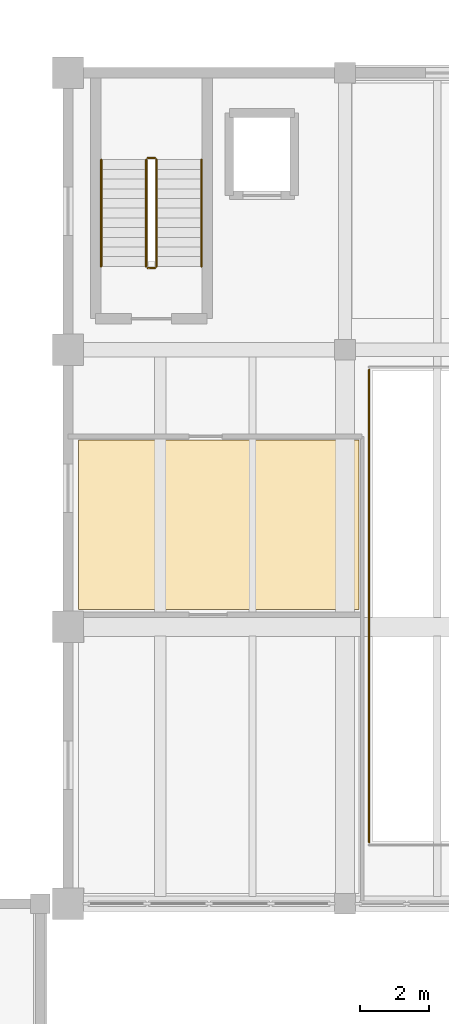
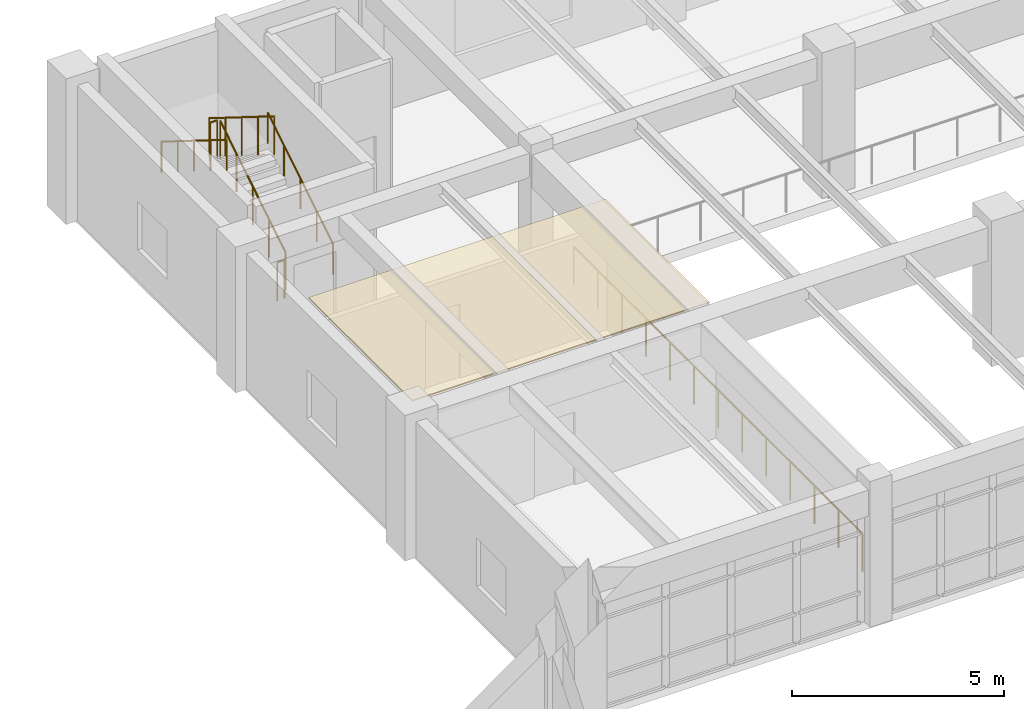
# One storey, part 57 of 67: 7 railings, 1 covering.
"""IFC4 building model written with IfcOpenShell, lengths in metres."""

from ifc_helpers import new_model, si_unit, direction, frame, origin, origin_2d, place, context, subcontext, project, spatial, polyline, circle, outline, extrude, material, layer, layer_set, type_object, element, save


model = new_model("IFC4")

# Units and contexts
model_context = context("Model", 3, precision=1e-05, world=origin(), true_north=direction((0.0, 1.0)))
body_context = subcontext(model_context, "Body", "Model", "MODEL_VIEW")
ifc_project = project(units=[si_unit("LENGTHUNIT", "METRE"), si_unit("AREAUNIT", "SQUARE_METRE"), si_unit("VOLUMEUNIT", "CUBIC_METRE"), si_unit("PLANEANGLEUNIT", "RADIAN"), si_unit("MASSUNIT", "GRAM", prefix="KILO")], contexts=[model_context])

# Site, building, storey
site_placement = place(None, origin())
site = spatial("IfcSite", under=ifc_project, at=site_placement, CompositionType="ELEMENT")
building_placement = place(site_placement, origin())
building = spatial("IfcBuilding", under=site, at=building_placement, Name="Tlaxcora Railside Police Headquarters", CompositionType="ELEMENT")
storey_placement = place(building_placement, frame((0.0, 0.0, 4.800048828125)))
storey = spatial("IfcBuildingStorey", under=building, at=storey_placement, Name="L01", CompositionType="ELEMENT", Elevation=4.800048828125)

# Covering
ifc_material_1 = material(Name="Mineral-fibre acoustic ceiling tile")
ifc_layer = layer(ifc_material_1, 0.034912109375, Name="Mineral-fibre acoustic ceiling tile")
ifc_layer_set = layer_set([ifc_layer], Name="Mineral-fibre acoustic ceiling tile")
covering_type = type_object("IfcCoveringType", Name="Acoustic Suspended Ceiling CLG-01", PredefinedType="CEILING", material=ifc_layer_set)
covering_placement = place(storey_placement, frame((0.0, 0.0, 3.764892578125)))
element("IfcCovering", 1, at=covering_placement, inside=storey, type_object=covering_type, Name="Accessible WC and Gallery Restroom L01 suspended ceiling", PredefinedType="CEILING", context=body_context, shape_type="SweptSolid", body=[
    extrude(outline(polyline([(54.39990234375, 44.5), (54.39990234375, 49.39990234375), (46.300048828125, 49.39990234375), (46.300048828125, 44.5), (54.39990234375, 44.5)])), origin(), (0.0, 0.0, 1.0), 0.03515625),
])

# Railings
ifc_material_2 = material(Name="Steel ASTM A992 Grade 50", Category="steel")
railing_type_1 = type_object("IfcRailingType", Name="Stair Well Guard Balustrade GR-02", PredefinedType="BALUSTRADE", material=ifc_material_2)
railing_1_placement = place(storey_placement, frame((48.56005859375, 54.409912109375, 0.175048828125)))
element("IfcRailing", 2, at=railing_1_placement, inside=storey, type_object=railing_type_1, Name="L01 ST4 stair guard 1", PredefinedType="BALUSTRADE", context=body_context, shape_type="SweptSolid", body=[
    extrude(circle(Radius=0.02392578125, at=origin_2d()), frame((0.0, 0.0, 1.09619140625), z_axis=(0.0, 0.848028513186, 0.529950602248), x_axis=(-1.0, 0.0, 0.0)), (0.0, 0.0, 1.0), 3.632080078125),
    extrude(circle(Radius=0.02099609375, at=origin_2d()), origin(), (0.0, 0.0, 1.0), 1.072021484375),
    extrude(circle(Radius=0.02099609375, at=origin_2d()), frame((0.0, 0.77001953125, 0.481201171875)), (0.0, 0.0, 1.0), 1.072021484375),
    extrude(circle(Radius=0.02099609375, at=origin_2d()), frame((0.0, 1.5400390625, 0.96240234375)), (0.0, 0.0, 1.0), 1.072021484375),
    extrude(circle(Radius=0.02099609375, at=origin_2d()), frame((0.0, 2.31005859375, 1.443603515625)), (0.0, 0.0, 1.0), 1.072021484375),
    extrude(circle(Radius=0.02099609375, at=origin_2d()), frame((0.0, 3.080078125, 1.9248046875)), (0.0, 0.0, 1.0), 1.072021484375),
])
railing_2_placement = place(storey_placement, frame((48.510009765625, 57.5400390625, 2.099853515625)))
element("IfcRailing", 3, at=railing_2_placement, inside=storey, type_object=railing_type_1, Name="L01 ST4 stair guard 2", PredefinedType="BALUSTRADE", context=body_context, shape_type="SweptSolid", body=[
    extrude(circle(Radius=0.02392578125, at=origin_2d()), frame((0.0, 0.0, 1.09619140625), z_axis=(-1.0, 0.0, 0.0), x_axis=(0.0, -1.0, 0.0)), (0.0, 0.0, 1.0), 0.199951171875),
    extrude(circle(Radius=0.02099609375, at=origin_2d()), origin(), (0.0, 0.0, 1.0), 1.072021484375),
    extrude(circle(Radius=0.02099609375, at=origin_2d()), frame((-0.199951171875, 0.0, 0.0)), (0.0, 0.0, 1.0), 1.072021484375),
])
railing_3_placement = place(storey_placement, frame((48.260009765625, 57.489990234375, 2.27490234375)))
element("IfcRailing", 4, at=railing_3_placement, inside=storey, type_object=railing_type_1, Name="L01 ST4 stair guard 3", PredefinedType="BALUSTRADE", context=body_context, shape_type="SweptSolid", body=[
    extrude(circle(Radius=0.02392578125, at=origin_2d()), frame((0.0, 0.0, 1.09619140625), z_axis=(0.0, -0.847998304005, 0.529998940003), x_axis=(1.0, 0.0, 0.0)), (0.0, 0.0, 1.0), 3.632080078125),
    extrude(circle(Radius=0.02099609375, at=origin_2d()), origin(), (0.0, 0.0, 1.0), 1.072021484375),
    extrude(circle(Radius=0.02099609375, at=origin_2d()), frame((0.0, -0.77001953125, 0.481201171875)), (0.0, 0.0, 1.0), 1.072021484375),
    extrude(circle(Radius=0.02099609375, at=origin_2d()), frame((0.0, -1.5400390625, 0.96240234375)), (0.0, 0.0, 1.0), 1.072021484375),
    extrude(circle(Radius=0.02099609375, at=origin_2d()), frame((0.0, -2.31005859375, 1.44384765625)), (0.0, 0.0, 1.0), 1.072021484375),
    extrude(circle(Radius=0.02099609375, at=origin_2d()), frame((0.0, -3.080078125, 1.925048828125)), (0.0, 0.0, 1.0), 1.072021484375),
])
railing_4_placement = place(storey_placement, frame((48.510009765625, 54.360107421875, 0.0)))
element("IfcRailing", 5, at=railing_4_placement, inside=storey, type_object=railing_type_1, Name="L01 ST4 stair guard 4", PredefinedType="BALUSTRADE", context=body_context, shape_type="SweptSolid", body=[
    extrude(circle(Radius=0.02392578125, at=origin_2d()), frame((0.0, 0.0, 1.09619140625), z_axis=(-1.0, 0.0, 0.0), x_axis=(0.0, -1.0, 0.0)), (0.0, 0.0, 1.0), 0.199951171875),
    extrude(circle(Radius=0.02099609375, at=origin_2d()), origin(), (0.0, 0.0, 1.0), 1.072021484375),
    extrude(circle(Radius=0.02099609375, at=origin_2d()), frame((-0.199951171875, 0.0, 0.0)), (0.0, 0.0, 1.0), 1.072021484375),
])
railing_type_2 = type_object("IfcRailingType", Name="Stair and Ramp Handrail HR-01", PredefinedType="HANDRAIL", material=ifc_material_2)
railing_5_placement = place(storey_placement, frame((49.860107421875, 54.409912109375, 0.175048828125)))
element("IfcRailing", 6, at=railing_5_placement, inside=storey, type_object=railing_type_2, Name="L01 ST4 stair handrail 1", PredefinedType="HANDRAIL", context=body_context, shape_type="SweptSolid", body=[
    extrude(circle(Radius=0.02392578125, at=origin_2d()), frame((0.0, 0.0, 0.8759765625), z_axis=(0.0, 0.848028513186, 0.529950602248), x_axis=(-1.0, 0.0, 0.0)), (0.0, 0.0, 1.0), 3.632080078125),
    extrude(circle(Radius=0.02099609375, at=origin_2d()), origin(), (0.0, 0.0, 1.0), 0.851806640625),
    extrude(circle(Radius=0.02099609375, at=origin_2d()), frame((0.0, 0.77001953125, 0.481201171875)), (0.0, 0.0, 1.0), 0.851806640625),
    extrude(circle(Radius=0.02099609375, at=origin_2d()), frame((0.0, 1.5400390625, 0.96240234375)), (0.0, 0.0, 1.0), 0.851806640625),
    extrude(circle(Radius=0.02099609375, at=origin_2d()), frame((0.0, 2.31005859375, 1.443603515625)), (0.0, 0.0, 1.0), 0.851806640625),
    extrude(circle(Radius=0.02099609375, at=origin_2d()), frame((0.0, 3.080078125, 1.9248046875)), (0.0, 0.0, 1.0), 0.851806640625),
])
railing_6_placement = place(storey_placement, frame((46.9599609375, 57.489990234375, 2.27490234375)))
element("IfcRailing", 7, at=railing_6_placement, inside=storey, type_object=railing_type_2, Name="L01 ST4 stair handrail 2", PredefinedType="HANDRAIL", context=body_context, shape_type="SweptSolid", body=[
    extrude(circle(Radius=0.02392578125, at=origin_2d()), frame((0.0, 0.0, 0.8759765625), z_axis=(0.0, -0.847998304005, 0.529998940003), x_axis=(1.0, 0.0, 0.0)), (0.0, 0.0, 1.0), 3.632080078125),
    extrude(circle(Radius=0.02099609375, at=origin_2d()), origin(), (0.0, 0.0, 1.0), 0.851806640625),
    extrude(circle(Radius=0.02099609375, at=origin_2d()), frame((0.0, -0.77001953125, 0.481201171875)), (0.0, 0.0, 1.0), 0.851806640625),
    extrude(circle(Radius=0.02099609375, at=origin_2d()), frame((0.0, -1.5400390625, 0.96240234375)), (0.0, 0.0, 1.0), 0.851806640625),
    extrude(circle(Radius=0.02099609375, at=origin_2d()), frame((0.0, -2.31005859375, 1.44384765625)), (0.0, 0.0, 1.0), 0.851806640625),
    extrude(circle(Radius=0.02099609375, at=origin_2d()), frame((0.0, -3.080078125, 1.925048828125)), (0.0, 0.0, 1.0), 0.851806640625),
])
railing_type_3 = type_object("IfcRailingType", Name="Terrace Perimeter Guard Balustrade GR-01", PredefinedType="BALUSTRADE", material=ifc_material_2)
railing_7_placement = place(storey_placement, frame((54.699951171875, 51.419921875, 0.0)))
element("IfcRailing", 8, at=railing_7_placement, inside=storey, type_object=railing_type_3, Name="Atrium and well guard L01-04", PredefinedType="BALUSTRADE", context=body_context, shape_type="SweptSolid", body=[
    extrude(circle(Radius=0.02392578125, at=origin_2d()), frame((0.0, 0.0, 1.09619140625), z_axis=(0.0, -1.0, 0.0), x_axis=(1.0, 0.0, 0.0)), (0.0, 0.0, 1.0), 13.639892578125),
    extrude(circle(Radius=0.02099609375, at=origin_2d()), origin(), (0.0, 0.0, 1.0), 1.072021484375),
    extrude(circle(Radius=0.02099609375, at=origin_2d()), frame((0.0, -1.13671875, 0.0)), (0.0, 0.0, 1.0), 1.072021484375),
    extrude(circle(Radius=0.02099609375, at=origin_2d()), frame((0.0, -2.2734375, 0.0)), (0.0, 0.0, 1.0), 1.072021484375),
    extrude(circle(Radius=0.02099609375, at=origin_2d()), frame((0.0, -3.409912109375, 0.0)), (0.0, 0.0, 1.0), 1.072021484375),
    extrude(circle(Radius=0.02099609375, at=origin_2d()), frame((0.0, -4.546630859375, 0.0)), (0.0, 0.0, 1.0), 1.072021484375),
    extrude(circle(Radius=0.02099609375, at=origin_2d()), frame((0.0, -5.683349609375, 0.0)), (0.0, 0.0, 1.0), 1.072021484375),
    extrude(circle(Radius=0.02099609375, at=origin_2d()), frame((0.0, -6.81982421875, 0.0)), (0.0, 0.0, 1.0), 1.072021484375),
    extrude(circle(Radius=0.02099609375, at=origin_2d()), frame((0.0, -7.95654296875, 0.0)), (0.0, 0.0, 1.0), 1.072021484375),
    extrude(circle(Radius=0.02099609375, at=origin_2d()), frame((0.0, -9.09326171875, 0.0)), (0.0, 0.0, 1.0), 1.072021484375),
    extrude(circle(Radius=0.02099609375, at=origin_2d()), frame((0.0, -10.22998046875, 0.0)), (0.0, 0.0, 1.0), 1.072021484375),
    extrude(circle(Radius=0.02099609375, at=origin_2d()), frame((0.0, -11.36669921875, 0.0)), (0.0, 0.0, 1.0), 1.072021484375),
    extrude(circle(Radius=0.02099609375, at=origin_2d()), frame((0.0, -12.503173828125, 0.0)), (0.0, 0.0, 1.0), 1.072021484375),
    extrude(circle(Radius=0.02099609375, at=origin_2d()), frame((0.0, -13.639892578125, 0.0)), (0.0, 0.0, 1.0), 1.072021484375),
])

save(model, "model.ifc")
